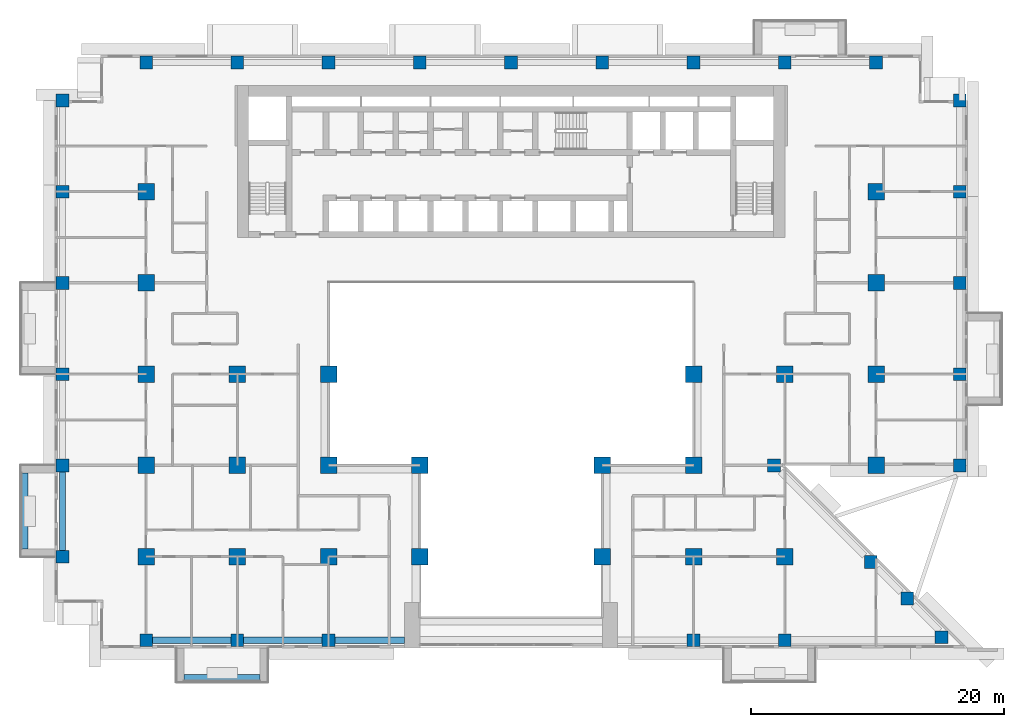
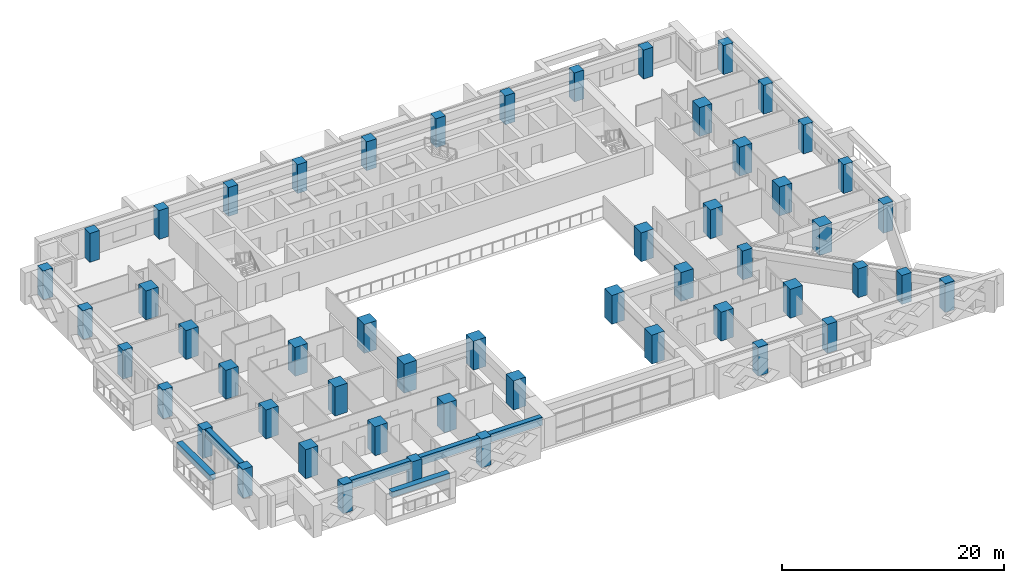
# One storey, part 1 of 16: 53 columns, 6 beams.
"""IFC4 building model written with IfcOpenShell, lengths in metres."""

from ifc_helpers import new_model, si_unit, direction, frame, origin, origin_2d, place, context, subcontext, project, spatial, rectangle, extrude, source, transform, mapped, material, material_profile, profile_set, type_object, element, save


model = new_model("IFC4")

# Units and contexts
model_context = context("Model", 3, precision=1e-05, world=origin(), true_north=direction((0.0, 1.0)))
body_context = subcontext(model_context, "Body", "Model", "MODEL_VIEW")
ifc_project = project(units=[si_unit("LENGTHUNIT", "METRE"), si_unit("AREAUNIT", "SQUARE_METRE"), si_unit("VOLUMEUNIT", "CUBIC_METRE"), si_unit("PLANEANGLEUNIT", "RADIAN"), si_unit("MASSUNIT", "GRAM", prefix="KILO")], contexts=[model_context])

# Site, building, storey
site_placement = place(None, origin())
site = spatial("IfcSite", under=ifc_project, at=site_placement, CompositionType="ELEMENT")
building_placement = place(site_placement, origin())
building = spatial("IfcBuilding", under=site, at=building_placement, Name="Saffron Iwan Residences", CompositionType="ELEMENT")
storey_placement = place(building_placement, frame((0.0, 0.0, 69.0)))
storey = spatial("IfcBuildingStorey", under=building, at=storey_placement, Name="L17", CompositionType="ELEMENT", Elevation=69.0)

# Columns
ifc_material_1 = material(Name="Concrete C60/75", Category="concrete")
ifc_material_profile_1 = material_profile(ifc_material_1, rectangle(XDim=1.0, YDim=1.0, at=origin_2d()), Name="RC 1000x1000")
ifc_profile_set_1 = profile_set([ifc_material_profile_1], Name="Concrete C60/75")
column_type_1 = type_object("IfcColumnType", Name="COL RC 1000x1000 C60/75 3180 HIGH", PredefinedType="COLUMN", material=ifc_profile_set_1)
shared_shape_1 = source(origin(), body_context, "Body", "SweptSolid", [
    extrude(rectangle(XDim=1.0, YDim=1.0, at=origin_2d()), origin(), (0.0, 0.0, 1.0), 3.179931640625),
])
for number, where, z_axis, x_axis, name in (
    (1, (21.60009765625, 34.199951171875, 0.0), (0.0, 0.0, 1.0), (1.0, 0.0, 0.0), "Column C038"),
    (2, (28.800048828125, 34.199951171875, 0.0), (0.0, 0.0, 1.0), (1.0, 0.0, 0.0), "Column C039"),
    (3, (36.0, 34.199951171875, 0.0), (0.0, 0.0, 1.0), (1.0, 0.0, 0.0), "Column C040"),
    (4, (64.800048828125, 34.199951171875, 0.0), (0.0, 0.0, 1.0), (1.0, 0.0, 0.0), "Column C041"),
    (5, (72.0, 34.199951171875, 0.0), (0.0, 0.0, 1.0), (1.0, 0.0, 0.0), "Column C042"),
    (6, (84.367431640625, 34.44189453125, 0.0), (0.0, 0.0, 1.0), (1.0, 0.0, 0.0), "Column C043"),
    (7, (81.65576171875, 37.49560546875, 0.0), (0.0, 0.0, 1.0), (1.0, 0.0, 0.0), "Column C044"),
    (8, (78.775634765625, 40.375732421875, 0.0), (0.0, 0.0, 1.0), (1.0, 0.0, 0.0), "Column C047"),
    (9, (15.0, 40.800048828125, 0.0), (0.0, 0.0, 1.0), (1.0, 0.0, 0.0), "Column C048"),
    (10, (15.0, 48.0, 0.0), (0.0, 0.0, 1.0), (1.0, 0.0, 0.0), "Column C061"),
    (11, (71.14990234375, 48.0, 0.0), (0.0, 0.0, 1.0), (1.0, 0.0, 0.0), "Column C070"),
    (12, (85.800048828125, 48.0, 0.0), (0.0, 0.0, 1.0), (1.0, 0.0, 0.0), "Column C074"),
    (13, (15.0, 55.199951171875, 0.0), (0.0, 0.0, 1.0), (1.0, 0.0, 0.0), "Column C077"),
    (14, (85.800048828125, 55.199951171875, 0.0), (0.0, 0.0, 1.0), (1.0, 0.0, 0.0), "Column C086"),
    (15, (15.0, 62.39990234375, 0.0), (0.0, 0.0, 1.0), (1.0, 0.0, 0.0), "Column C089"),
    (16, (85.800048828125, 62.39990234375, 0.0), (0.0, 0.0, 1.0), (1.0, 0.0, 0.0), "Column C094"),
    (17, (15.0, 69.60009765625, 0.0), (0.0, 0.0, 1.0), (1.0, 0.0, 0.0), "Column C097"),
    (18, (85.800048828125, 69.60009765625, 0.0), (0.0, 0.0, 1.0), (1.0, 0.0, 0.0), "Column C102"),
    (19, (15.0, 76.800048828125, 0.0), (0.0, 0.0, 1.0), (1.0, 0.0, 0.0), "Column C105"),
    (20, (85.800048828125, 76.800048828125, 0.0), (0.0, 0.0, 1.0), (1.0, 0.0, 0.0), "Column C110"),
    (21, (21.60009765625, 79.800048828125, 0.0), (0.0, 0.0, 1.0), (1.0, 0.0, 0.0), "Column C113"),
    (22, (28.800048828125, 79.800048828125, 0.0), (0.0, 0.0, 1.0), (1.0, 0.0, 0.0), "Column C115"),
    (23, (36.0, 79.800048828125, 0.0), (0.0, 0.0, 1.0), (1.0, 0.0, 0.0), "Column C116"),
    (24, (43.199951171875, 79.800048828125, 0.0), (0.0, 0.0, 1.0), (1.0, 0.0, 0.0), "Column C117"),
    (25, (50.39990234375, 79.800048828125, 0.0), (0.0, 0.0, 1.0), (1.0, 0.0, 0.0), "Column C118"),
    (26, (57.60009765625, 79.800048828125, 0.0), (0.0, 0.0, 1.0), (1.0, 0.0, 0.0), "Column C119"),
    (27, (64.800048828125, 79.800048828125, 0.0), (0.0, 0.0, 1.0), (1.0, 0.0, 0.0), "Column C120"),
    (28, (72.0, 79.800048828125, 0.0), (0.0, 0.0, 1.0), (1.0, 0.0, 0.0), "Column C121"),
    (29, (79.199951171875, 79.800048828125, 0.0), (0.0, 0.0, 1.0), (1.0, 0.0, 0.0), "Column C123"),
):
    element("IfcColumn", number, at=place(storey_placement, frame(where, z_axis=z_axis, x_axis=x_axis)), inside=storey, type_object=column_type_1, Name=name, PredefinedType="COLUMN", context=body_context, shape_type="MappedRepresentation", body=[
        mapped(shared_shape_1, transform((0.0, 0.0, 0.0))),
    ])
ifc_material_profile_2 = material_profile(ifc_material_1, rectangle(XDim=1.300048828125, YDim=1.300048828125, at=origin_2d()), Name="RC 1300x1300")
ifc_profile_set_2 = profile_set([ifc_material_profile_2], Name="Concrete C60/75")
column_type_2 = type_object("IfcColumnType", Name="COL RC 1300x1300 C60/75 3180 HIGH", PredefinedType="COLUMN", material=ifc_profile_set_2)
shared_shape_2 = source(origin(), body_context, "Body", "SweptSolid", [
    extrude(rectangle(XDim=1.300048828125, YDim=1.300048828125, at=origin_2d()), origin(), (0.0, 0.0, 1.0), 3.179931640625),
])
for number, where, z_axis, x_axis, name in (
    (30, (21.60009765625, 40.800048828125, 0.0), (0.0, 0.0, 1.0), (1.0, 0.0, 0.0), "Column C049"),
    (31, (28.800048828125, 40.800048828125, 0.0), (0.0, 0.0, 1.0), (1.0, 0.0, 0.0), "Column C051"),
    (32, (36.0, 40.800048828125, 0.0), (0.0, 0.0, 1.0), (1.0, 0.0, 0.0), "Column C052"),
    (33, (43.199951171875, 40.800048828125, 0.0), (0.0, 0.0, 1.0), (1.0, 0.0, 0.0), "Column C053"),
    (34, (57.60009765625, 40.800048828125, 0.0), (0.0, 0.0, 1.0), (1.0, 0.0, 0.0), "Column C054"),
    (35, (64.800048828125, 40.800048828125, 0.0), (0.0, 0.0, 1.0), (1.0, 0.0, 0.0), "Column C055"),
    (36, (72.0, 40.800048828125, 0.0), (0.0, 0.0, 1.0), (1.0, 0.0, 0.0), "Column C056"),
    (37, (21.60009765625, 48.0, 0.0), (0.0, 0.0, 1.0), (1.0, 0.0, 0.0), "Column C063"),
    (38, (28.800048828125, 48.0, 0.0), (0.0, 0.0, 1.0), (1.0, 0.0, 0.0), "Column C064"),
    (39, (36.0, 48.0, 0.0), (0.0, 0.0, 1.0), (1.0, 0.0, 0.0), "Column C065"),
    (40, (43.199951171875, 48.0, 0.0), (0.0, 0.0, 1.0), (1.0, 0.0, 0.0), "Column C066"),
    (41, (57.60009765625, 48.0, 0.0), (0.0, 0.0, 1.0), (1.0, 0.0, 0.0), "Column C068"),
    (42, (64.800048828125, 48.0, 0.0), (0.0, 0.0, 1.0), (1.0, 0.0, 0.0), "Column C069"),
    (43, (79.199951171875, 48.0, 0.0), (0.0, 0.0, 1.0), (1.0, 0.0, 0.0), "Column C072"),
    (44, (21.60009765625, 55.199951171875, 0.0), (0.0, 0.0, 1.0), (1.0, 0.0, 0.0), "Column C079"),
    (45, (28.800048828125, 55.199951171875, 0.0), (0.0, 0.0, 1.0), (1.0, 0.0, 0.0), "Column C080"),
    (46, (36.0, 55.199951171875, 0.0), (0.0, 0.0, 1.0), (1.0, 0.0, 0.0), "Column C081"),
    (47, (64.800048828125, 55.199951171875, 0.0), (0.0, 0.0, 1.0), (1.0, 0.0, 0.0), "Column C082"),
    (48, (72.0, 55.199951171875, 0.0), (0.0, 0.0, 1.0), (1.0, 0.0, 0.0), "Column C083"),
    (49, (79.199951171875, 55.199951171875, 0.0), (0.0, 0.0, 1.0), (1.0, 0.0, 0.0), "Column C084"),
    (50, (21.60009765625, 62.39990234375, 0.0), (0.0, 0.0, 1.0), (1.0, 0.0, 0.0), "Column C091"),
    (51, (79.199951171875, 62.39990234375, 0.0), (0.0, 0.0, 1.0), (1.0, 0.0, 0.0), "Column C092"),
    (52, (21.60009765625, 69.60009765625, 0.0), (0.0, 0.0, 1.0), (1.0, 0.0, 0.0), "Column C099"),
    (53, (79.199951171875, 69.60009765625, 0.0), (0.0, 0.0, 1.0), (1.0, 0.0, 0.0), "Column C100"),
):
    element("IfcColumn", number, at=place(storey_placement, frame(where, z_axis=z_axis, x_axis=x_axis)), inside=storey, type_object=column_type_2, Name=name, PredefinedType="COLUMN", context=body_context, shape_type="MappedRepresentation", body=[
        mapped(shared_shape_2, transform((0.0, 0.0, 0.0))),
    ])

# Beams
ifc_material_profile_3 = material_profile(ifc_material_1, rectangle(XDim=0.5, YDim=0.89990234375, at=origin_2d()), Name="RC 500x900")
ifc_profile_set_3 = profile_set([ifc_material_profile_3], Name="Concrete C60/75")
beam_type_1 = type_object("IfcBeamType", Name="SPANDREL BEAM RC 500x900 C60/75 TOP 3180", PredefinedType="SPANDREL", material=ifc_profile_set_3)
shared_shape_3 = source(origin(), body_context, "Body", "SweptSolid", [
    extrude(rectangle(XDim=0.5, YDim=0.89990234375, at=origin_2d()), origin(), (0.0, 0.0, 1.0), 6.199951171875),
])
for number, where, z_axis, x_axis, name in (
    (54, (28.300048828125, 34.199951171875, 2.72998046875), (-1.0, 0.0, 0.0), (0.0, -1.0, 0.0), "Spandrel beam"),
    (55, (35.5, 34.199951171875, 2.72998046875), (-1.0, 0.0, 0.0), (0.0, -1.0, 0.0), "Spandrel beam"),
    (56, (15.0, 41.300048828125, 2.72998046875), (0.0, 1.0, 0.0), (-1.0, 0.0, 0.0), "Spandrel beam"),
):
    element("IfcBeam", number, at=place(storey_placement, frame(where, z_axis=z_axis, x_axis=x_axis)), inside=storey, type_object=beam_type_1, Name=name, PredefinedType="SPANDREL", context=body_context, shape_type="MappedRepresentation", body=[
        mapped(shared_shape_3, transform((0.0, 0.0, 0.0))),
    ])
shared_shape_4 = source(origin(), body_context, "Body", "SweptSolid", [
    extrude(rectangle(XDim=0.5, YDim=0.89990234375, at=origin_2d()), origin(), (0.0, 0.0, 1.0), 5.5),
])
beam_placement = place(storey_placement, frame((42.0, 34.199951171875, 2.72998046875), z_axis=(-1.0, 0.0, 0.0), x_axis=(0.0, -1.0, 0.0)))
element("IfcBeam", 57, at=beam_placement, inside=storey, type_object=beam_type_1, Name="Spandrel beam", PredefinedType="SPANDREL", context=body_context, shape_type="MappedRepresentation", body=[
    mapped(shared_shape_4, transform((0.0, 0.0, 0.0))),
])
ifc_material_2 = material(Name="Concrete C50/60 white painted", Category="concrete")
ifc_material_profile_4 = material_profile(ifc_material_2, rectangle(XDim=0.60009765625, YDim=0.60009765625, at=origin_2d()), Name="BALCONY FASCIA BEAM 600 x 600")
ifc_profile_set_4 = profile_set([ifc_material_profile_4], Name="Concrete C50/60 white painted")
beam_type_2 = type_object("IfcBeamType", Name="BALCONY FASCIA BEAM 600 x 600", PredefinedType="BEAM", material=ifc_profile_set_4)
shared_shape_5 = source(origin(), body_context, "Body", "SweptSolid", [
    extrude(rectangle(XDim=0.60009765625, YDim=0.60009765625, at=origin_2d()), origin(), (0.0, 0.0, 1.0), 6.0),
])
for number, where, z_axis, x_axis, name in (
    (58, (12.0, 47.39990234375, 2.550048828125), (0.0, -1.0, 0.0), (1.0, 0.0, 0.0), "Balcony fascia beam L17 F8-1"),
    (59, (24.60009765625, 31.199951171875, 2.550048828125), (1.0, 0.0, 0.0), (0.0, 1.0, 0.0), "Balcony fascia beam L17 11-0"),
):
    element("IfcBeam", number, at=place(storey_placement, frame(where, z_axis=z_axis, x_axis=x_axis)), inside=storey, type_object=beam_type_2, Name=name, PredefinedType="BEAM", context=body_context, shape_type="MappedRepresentation", body=[
        mapped(shared_shape_5, transform((0.0, 0.0, 0.0))),
    ])

save(model, "model.ifc")
